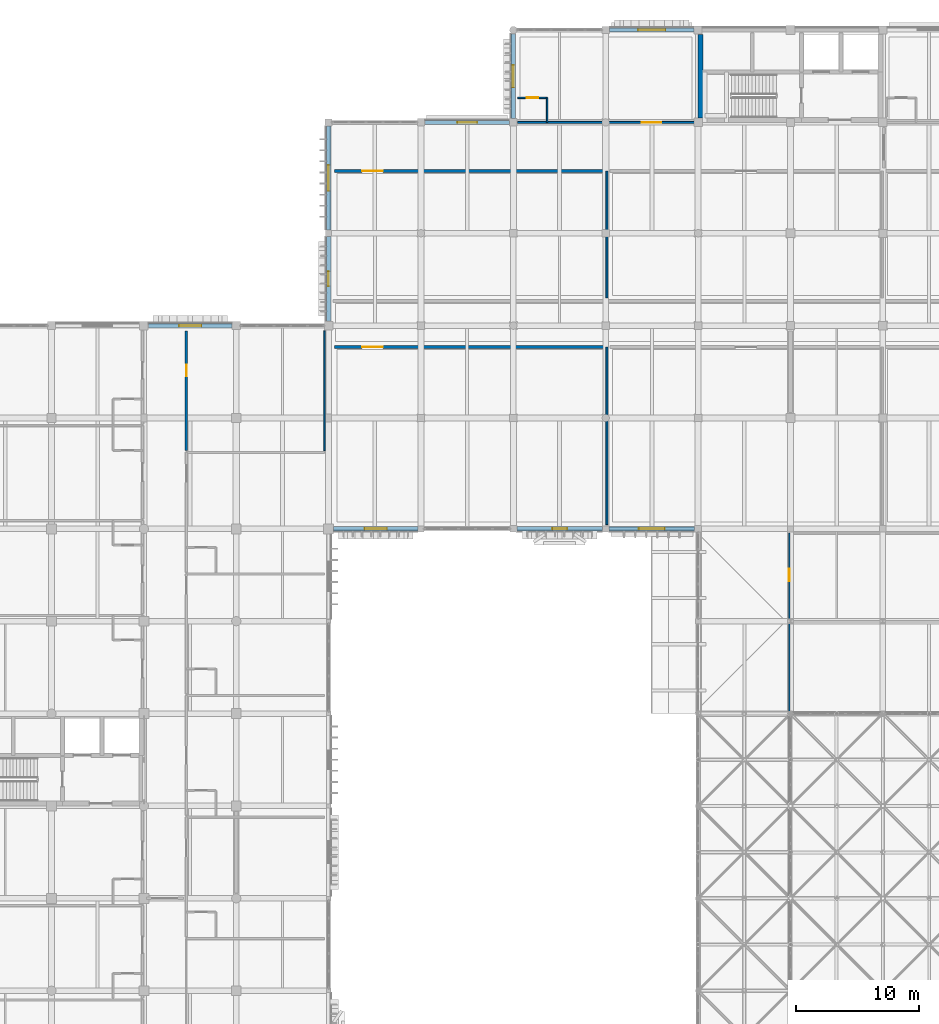
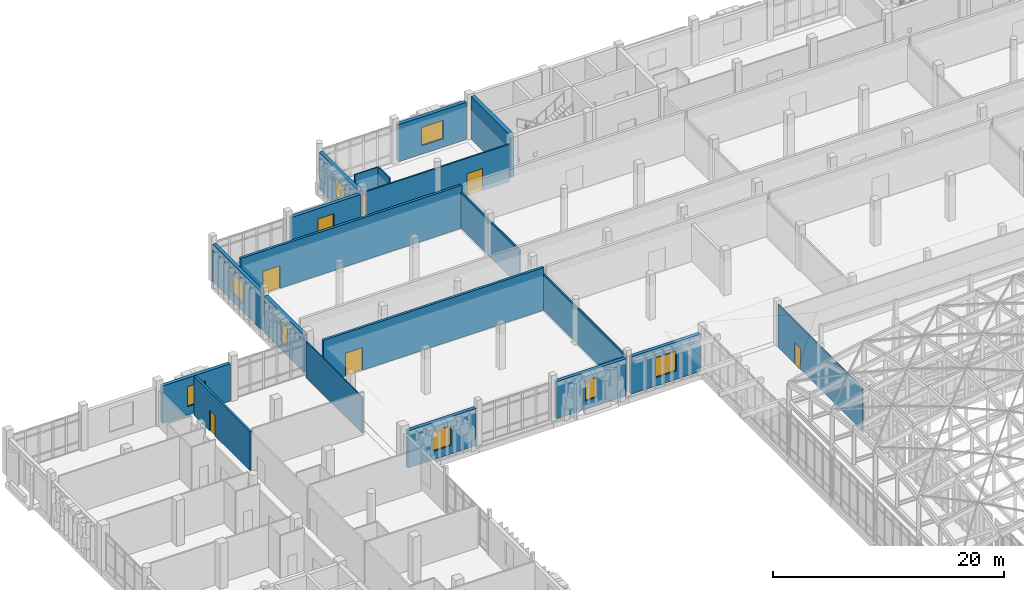
# One storey, part 104 of 131: 20 walls, 9 windows, 6 doors, 15 openings.
"""IFC4 building model written with IfcOpenShell, lengths in metres."""

import ifcopenshell
import ifcopenshell.guid

model = None  # the IFC model being written
_history = None  # IfcOwnerHistory: only IFC2X3 demands one
_inside = {}  # id of a spatial element -> (the spatial element, [elements in it])
_under = {}  # id of a project, library or spatial element -> (it, [spatial elements below it])
_declared = {}  # id of a project -> (the project, [libraries it declares])
_typed = {}  # id of a type object -> (the type object, [elements of that type])
_made_of = {}  # id of a material, layer set ... -> (it, [elements and type objects made of it])


def new_model(schema):
    """Start an empty IFC model of exactly this schema.

    Asked for "IFC4X3", IfcOpenShell would pick the latest addendum, in which some entities
    have other attributes; the version numbers below select the first issue.
    IFC2X3 requires an IfcOwnerHistory on every rooted entity: one is made here for all.
    """
    global model, _history
    if schema == "IFC4X3":
        model = ifcopenshell.file(schema_version=(4, 3, 0, 0))
    else:
        model = ifcopenshell.file(schema=schema)
    _inside.clear()
    _under.clear()
    _declared.clear()
    _typed.clear()
    _made_of.clear()
    _history = None
    if model.schema == "IFC2X3":
        org = make("IfcOrganization", Name="unknown")
        user = make(
            "IfcPersonAndOrganization",
            ThePerson=make("IfcPerson", FamilyName="unknown"),
            TheOrganization=org,
        )
        app = make(
            "IfcApplication",
            ApplicationDeveloper=org,
            Version="unknown",
            ApplicationFullName="unknown",
            ApplicationIdentifier="unknown",
        )
        _history = make(
            "IfcOwnerHistory",
            OwningUser=user,
            OwningApplication=app,
            ChangeAction="ADDED",
            CreationDate=0,
        )
    return model


def make(cls, **values):
    """One entity of the class cls with the attributes given. An attribute that is None is left unset."""
    return model.create_entity(
        cls, **{name: value for name, value in values.items() if value is not None}
    )


def rooted(cls, **values):
    """An entity with a GlobalId (a new one), such as an element, a storey or a relation."""
    return make(cls, GlobalId=ifcopenshell.guid.new(), OwnerHistory=_history, **values)


def si_unit(unit_type, name, prefix=None):
    """IfcSIUnit, for example si_unit("LENGTHUNIT", "METRE", prefix="MILLI")."""
    return make("IfcSIUnit", UnitType=unit_type, Prefix=prefix, Name=name)


def assignment(units):
    """IfcUnitAssignment: the units of a project."""
    return None if units is None else make("IfcUnitAssignment", Units=units)


def point(xyz):
    """IfcCartesianPoint."""
    return None if xyz is None else make("IfcCartesianPoint", Coordinates=xyz)


def direction(xyz):
    """IfcDirection."""
    return None if xyz is None else make("IfcDirection", DirectionRatios=xyz)


def frame(location, z_axis=None, x_axis=None):
    """IfcAxis2Placement3D, a coordinate frame: its origin and axes. An axis left out is left unset."""
    return make(
        "IfcAxis2Placement3D",
        Location=point(location),
        Axis=direction(z_axis),
        RefDirection=direction(x_axis),
    )


def frame_2d(location, x_axis=None):
    """IfcAxis2Placement2D, a coordinate frame in the plane: its origin and x axis."""
    return make(
        "IfcAxis2Placement2D", Location=point(location), RefDirection=direction(x_axis)
    )


def origin():
    """The frame at (0, 0, 0) with its axes left unset."""
    return frame((0.0, 0.0, 0.0))


def place(relative_to, where):
    """IfcLocalPlacement: puts the frame where relative to a parent placement (None: the world)."""
    return make(
        "IfcLocalPlacement", PlacementRelTo=relative_to, RelativePlacement=where
    )


def context(
    kind, dimensions, precision=None, world=None, true_north=None, identifier=None
):
    """IfcGeometricRepresentationContext, for example the 3D "Model" context."""
    return make(
        "IfcGeometricRepresentationContext",
        ContextIdentifier=identifier,
        ContextType=kind,
        CoordinateSpaceDimension=dimensions,
        Precision=precision,
        WorldCoordinateSystem=world,
        TrueNorth=true_north,
    )


def subcontext(parent, identifier, kind, view, scale=None):
    """IfcGeometricRepresentationSubContext, for example "Body" below "Model"."""
    return make(
        "IfcGeometricRepresentationSubContext",
        ContextIdentifier=identifier,
        ContextType=kind,
        ParentContext=parent,
        TargetScale=scale,
        TargetView=view,
    )


def project(units=None, contexts=None):
    """IfcProject with its units and contexts."""
    return rooted(
        "IfcProject",
        Name="project",
        RepresentationContexts=contexts,
        UnitsInContext=assignment(units),
    )


def spatial(cls, under=None, at=None, **own):
    """A site, building, storey or space (cls), placed at a placement, below another one or the project."""
    s = rooted(cls, ObjectPlacement=at, **own)
    if under is not None:
        _under.setdefault(under.id(), (under, []))[1].append(s)
    return s


def profile(cls, at=None, kind="AREA", **sizes):
    """A parametric profile (cls). Its sizes go by their IFC names, for example OverallWidth=200.0."""
    return make(cls, ProfileType=kind, Position=at, **sizes)


def rectangle(**sizes):
    """IfcRectangleProfileDef."""
    return profile("IfcRectangleProfileDef", **sizes)


def extrude(swept, where, along, depth):
    """IfcExtrudedAreaSolid: the profile swept, set in the frame where, extruded along a direction by depth."""
    return make(
        "IfcExtrudedAreaSolid",
        SweptArea=swept,
        Position=where,
        ExtrudedDirection=direction(along),
        Depth=depth,
    )


def shape(context_of_items, identifier, shape_type, items):
    """IfcShapeRepresentation: the items that make up one representation, for example the "Body"."""
    return make(
        "IfcShapeRepresentation",
        ContextOfItems=context_of_items,
        RepresentationIdentifier=identifier,
        RepresentationType=shape_type,
        Items=items,
    )


def material(Name=None, Category=None):
    """IfcMaterial."""
    return make("IfcMaterial", Name=Name, Category=Category)


def layer(
    of_material, thickness, ventilated=None, Name=None, Category=None, Priority=None
):
    """IfcMaterialLayer: one layer of a wall or slab, of a material (None: an air gap)."""
    return make(
        "IfcMaterialLayer",
        Material=of_material,
        LayerThickness=thickness,
        IsVentilated=ventilated,
        Name=Name,
        Category=Category,
        Priority=Priority,
    )


def layer_set(layers, Name=None):
    """IfcMaterialLayerSet."""
    return make("IfcMaterialLayerSet", MaterialLayers=layers, LayerSetName=Name)


def made_of(thing, what):
    """Note that an element or type object is made of a material, layer set ...; save() writes the relation."""
    if what is not None:
        _made_of.setdefault(what.id(), (what, []))[1].append(thing)
    return thing


def type_object(cls, material=None, **own):
    """A type object (cls), such as IfcWallType, which elements share."""
    return made_of(rooted(cls, **own), material)


def element(
    cls,
    number,
    at=None,
    inside=None,
    cuts=None,
    type_object=None,
    material=None,
    context=None,
    identifier="Body",
    shape_type=None,
    held_by="IfcProductDefinitionShape",
    body=None,
    shapes=None,
    **own,
):
    """One element of the class cls, such as IfcWall. Its Tag is "e" and its number.

    at: its placement. inside: the storey or other place that contains it. cuts: it is an
    opening in that element (IfcRelVoidsElement). A single representation is given by context,
    identifier, shape_type and body (its items); several are given by shapes. held_by: the class
    of the entity that holds the representations. save() writes the other relations.
    """
    e = rooted(cls, Tag="e%d" % number, ObjectPlacement=at, **own)
    if body is not None:
        shapes = [shape(context, identifier, shape_type, body)]
    if shapes is not None:
        e.Representation = make(held_by, Representations=shapes)
    if inside is not None:
        _inside.setdefault(inside.id(), (inside, []))[1].append(e)
    if cuts is not None:
        rooted(
            "IfcRelVoidsElement", RelatingBuildingElement=cuts, RelatedOpeningElement=e
        )
    if type_object is not None:
        _typed.setdefault(type_object.id(), (type_object, []))[1].append(e)
    return made_of(e, material)


def fill(opening, filler):
    """IfcRelFillsElement: the door or window that sits in an opening."""
    return rooted(
        "IfcRelFillsElement",
        RelatingOpeningElement=opening,
        RelatedBuildingElement=filler,
    )


def aggregate(whole, parts):
    """IfcRelAggregates: a whole, such as a stair, and the parts it consists of."""
    return rooted("IfcRelAggregates", RelatingObject=whole, RelatedObjects=parts)


def save(model, path):
    """Write the relations noted so far, then the file.

    IfcRelAggregates (storeys below a building ...), IfcRelContainedInSpatialStructure (elements
    in a storey), IfcRelDefinesByType, IfcRelAssociatesMaterial and IfcRelDeclares: one each for
    every whole, place, type object, material and project.
    """
    for whole, parts in _under.values():
        aggregate(whole, parts)
    for where, things in _inside.values():
        rooted(
            "IfcRelContainedInSpatialStructure",
            RelatedElements=things,
            RelatingStructure=where,
        )
    for kind, things in _typed.values():
        rooted("IfcRelDefinesByType", RelatedObjects=things, RelatingType=kind)
    for what, things in _made_of.values():
        rooted("IfcRelAssociatesMaterial", RelatedObjects=things, RelatingMaterial=what)
    for by, libraries in _declared.values():
        rooted("IfcRelDeclares", RelatingContext=by, RelatedDefinitions=libraries)
    model.write(path)


model = new_model("IFC4")

# Units and contexts
model_context = context("Model", 3, precision=1e-05, world=origin(), true_north=direction((0.0, 1.0)))
body_context = subcontext(model_context, "Body", "Model", "MODEL_VIEW")
ifc_project = project(units=[si_unit("LENGTHUNIT", "METRE"), si_unit("AREAUNIT", "SQUARE_METRE"), si_unit("VOLUMEUNIT", "CUBIC_METRE"), si_unit("PLANEANGLEUNIT", "RADIAN"), si_unit("MASSUNIT", "GRAM", prefix="KILO")], contexts=[model_context])

# Site, building, storey
site_placement = place(None, origin())
site = spatial("IfcSite", under=ifc_project, at=site_placement, CompositionType="ELEMENT")
building_placement = place(site_placement, origin())
building = spatial("IfcBuilding", under=site, at=building_placement, Name="Dalvernix Boulevard General Hospital", CompositionType="ELEMENT")
storey_placement = place(building_placement, frame((0.0, 0.0, 9.300048828125)))
storey = spatial("IfcBuildingStorey", under=building, at=storey_placement, Name="L02", CompositionType="ELEMENT", Elevation=9.300048828125)

# Wall
ifc_material_1 = material(Name="Concrete C40/50", Category="concrete")
ifc_layer_1 = layer(ifc_material_1, 0.39990234375)
ifc_layer_set_1 = layer_set([ifc_layer_1], Name="Concrete C40/50 (WAL-CSW-01)")
wall_type_1 = type_object("IfcWallType", Name="WAL-CSW-01", PredefinedType="SHEAR", material=ifc_layer_set_1)
wall_1_placement = place(storey_placement, frame((60.199951171875, 109.85009765625, 0.0), z_axis=(0.0, 0.0, 1.0), x_axis=(0.0, 1.0, 0.0)))
element("IfcWall", 1, at=wall_1_placement, inside=storey, type_object=wall_type_1, Name="L02 C3 west core wall", PredefinedType="SHEAR", context=body_context, shape_type="SweptSolid", body=[
    extrude(rectangle(XDim=6.7998046875, YDim=0.39990234375, at=frame_2d((3.39990234375, 0.0))), origin(), (0.0, 0.0, 1.0), 4.550048828125),
])

# Wall, opening, window
ifc_material_2 = material(Name="Pressed Catalan clay brick and insulated concrete cavity wall C35/45", Category="masonry")
ifc_layer_2 = layer(ifc_material_2, 0.35009765625)
ifc_layer_set_2 = layer_set([ifc_layer_2], Name="Pressed Catalan clay brick and insulated concrete cavity wall C35/45 (WAL-EW-01)")
wall_type_2 = type_object("IfcWallType", Name="WAL-EW-01", PredefinedType="STANDARD", material=ifc_layer_set_2)
wall_2_placement = place(storey_placement, frame((15.360107421875, 93.0, 0.0), z_axis=(0.0, 0.0, 1.0), x_axis=(1.0, 0.0, 0.0)))
wall_2 = element("IfcWall", 2, at=wall_2_placement, inside=storey, type_object=wall_type_2, Name="L02 Catalan brick external wall N 2-12", PredefinedType="STANDARD", context=body_context, shape_type="SweptSolid", body=[
    extrude(rectangle(XDim=6.804931640625, YDim=0.35009765625, at=frame_2d((3.40234375, 0.0))), origin(), (0.0, 0.0, 1.0), 3.949951171875),
])
opening_1_placement = place(wall_2_placement, frame((2.50244140625, 0.0, 0.89990234375)))
opening_1 = element("IfcOpeningElement", 3, at=opening_1_placement, cuts=wall_2, Name="Opening WN-05", PredefinedType="OPENING", context=body_context, shape_type="SweptSolid", body=[
    extrude(rectangle(XDim=1.800048828125, YDim=2.10009765625, at=frame_2d((0.89990234375, 1.050048828125))), frame((0.0, 0.18505859375, 0.0), z_axis=(0.0, -1.0, 0.0), x_axis=(1.0, 0.0, 0.0)), (0.0, 0.0, 1.0), 0.3701171875),
])
ifc_material_3 = material(Name="Thermally broken aluminium frame with solar-control double glazing", Category="aluminium")
window_type_1 = type_object("IfcWindowType", Name="WIN-WN-05", PartitioningType="SINGLE_PANEL", PredefinedType="WINDOW", material=ifc_material_3)
window_1_placement = place(opening_1_placement, origin())
window_1 = element("IfcWindow", 4, at=window_1_placement, inside=storey, type_object=window_type_1, Name="L02 clinical window WN-05 N 2-12", OverallHeight=2.10009765625, OverallWidth=1.800048828125, PartitioningType="SINGLE_PANEL", PredefinedType="WINDOW", context=body_context, shape_type="SweptSolid", body=[
    extrude(rectangle(XDim=1.800048828125, YDim=2.10009765625, at=frame_2d((0.89990234375, 1.050048828125))), frame((0.0, 0.030029296875, 0.0), z_axis=(0.0, -1.0, 0.0), x_axis=(1.0, 0.0, 0.0)), (0.0, 0.0, 1.0), 0.06005859375),
])
fill(opening_1, window_1)

wall_3_placement = place(storey_placement, frame((37.239990234375, 76.5, 0.0), z_axis=(0.0, 0.0, 1.0), x_axis=(-1.0, 0.0, 0.0)))
wall_3 = element("IfcWall", 5, at=wall_3_placement, inside=storey, type_object=wall_type_2, Name="L02 Catalan brick external wall S 4-10", PredefinedType="STANDARD", context=body_context, shape_type="SweptSolid", body=[
    extrude(rectangle(XDim=6.830078125, YDim=0.35009765625, at=frame_2d((3.4150390625, 0.0))), origin(), (0.0, 0.0, 1.0), 3.949951171875),
])
opening_2_placement = place(wall_3_placement, frame((2.514892578125, 0.0, 0.89990234375)))
opening_2 = element("IfcOpeningElement", 6, at=opening_2_placement, cuts=wall_3, Name="Opening WN-05", PredefinedType="OPENING", context=body_context, shape_type="SweptSolid", body=[
    extrude(rectangle(XDim=1.800048828125, YDim=2.10009765625, at=frame_2d((0.89990234375, 1.050048828125))), frame((0.0, 0.18505859375, 0.0), z_axis=(0.0, -1.0, 0.0), x_axis=(1.0, 0.0, 0.0)), (0.0, 0.0, 1.0), 0.3701171875),
])
window_2_placement = place(opening_2_placement, origin())
window_2 = element("IfcWindow", 7, at=window_2_placement, inside=storey, type_object=window_type_1, Name="L02 clinical window WN-05 S 4-10", OverallHeight=2.10009765625, OverallWidth=1.800048828125, PartitioningType="SINGLE_PANEL", PredefinedType="WINDOW", context=body_context, shape_type="SweptSolid", body=[
    extrude(rectangle(XDim=1.800048828125, YDim=2.10009765625, at=frame_2d((0.89990234375, 1.050048828125))), frame((0.0, 0.030029296875, 0.0), z_axis=(0.0, -1.0, 0.0), x_axis=(1.0, 0.0, 0.0)), (0.0, 0.0, 1.0), 0.06005859375),
])
fill(opening_2, window_2)

wall_4_placement = place(storey_placement, frame((30.0, 93.360107421875, 0.0), z_axis=(0.0, 0.0, 1.0), x_axis=(0.0, 1.0, 0.0)))
wall_4 = element("IfcWall", 8, at=wall_4_placement, inside=storey, type_object=wall_type_2, Name="L02 Catalan brick external wall W 4-12", PredefinedType="STANDARD", context=body_context, shape_type="SweptSolid", body=[
    extrude(rectangle(XDim=6.8798828125, YDim=0.35009765625, at=frame_2d((3.43994140625, 0.0))), origin(), (0.0, 0.0, 1.0), 3.949951171875),
])
opening_3_placement = place(wall_4_placement, frame((2.840087890625, 0.0, 0.89990234375)))
opening_3 = element("IfcOpeningElement", 9, at=opening_3_placement, cuts=wall_4, Name="Opening WN-07", PredefinedType="OPENING", context=body_context, shape_type="SweptSolid", body=[
    extrude(rectangle(XDim=1.199951171875, YDim=2.10009765625, at=frame_2d((0.60009765625, 1.050048828125))), frame((0.0, 0.18505859375, 0.0), z_axis=(0.0, -1.0, 0.0), x_axis=(1.0, 0.0, 0.0)), (0.0, 0.0, 1.0), 0.3701171875),
])
window_type_2 = type_object("IfcWindowType", Name="WIN-WN-07", PartitioningType="SINGLE_PANEL", PredefinedType="WINDOW", material=ifc_material_3)
window_3_placement = place(opening_3_placement, origin())
window_3 = element("IfcWindow", 10, at=window_3_placement, inside=storey, type_object=window_type_2, Name="L02 clinical window WN-07 W 4-12", OverallHeight=2.10009765625, OverallWidth=1.199951171875, PartitioningType="SINGLE_PANEL", PredefinedType="WINDOW", context=body_context, shape_type="SweptSolid", body=[
    extrude(rectangle(XDim=1.199951171875, YDim=2.10009765625, at=frame_2d((0.60009765625, 1.050048828125))), frame((0.0, 0.030029296875, 0.0), z_axis=(0.0, -1.0, 0.0), x_axis=(1.0, 0.0, 0.0)), (0.0, 0.0, 1.0), 0.06005859375),
])
fill(opening_3, window_3)

wall_5_placement = place(storey_placement, frame((30.0, 100.760009765625, 0.0), z_axis=(0.0, 0.0, 1.0), x_axis=(0.0, 1.0, 0.0)))
wall_5 = element("IfcWall", 11, at=wall_5_placement, inside=storey, type_object=wall_type_2, Name="L02 Catalan brick external wall W 4-13", PredefinedType="STANDARD", context=body_context, shape_type="SweptSolid", body=[
    extrude(rectangle(XDim=8.455078125, YDim=0.35009765625, at=frame_2d((4.2275390625, 0.0))), origin(), (0.0, 0.0, 1.0), 4.0),
])
opening_4_placement = place(wall_5_placement, frame((3.177490234375, 0.0, 0.89990234375)))
opening_4 = element("IfcOpeningElement", 12, at=opening_4_placement, cuts=wall_5, Name="Opening WN-08", PredefinedType="OPENING", context=body_context, shape_type="SweptSolid", body=[
    extrude(rectangle(XDim=2.10009765625, YDim=2.10009765625, at=frame_2d((1.050048828125, 1.050048828125))), frame((0.0, 0.18505859375, 0.0), z_axis=(0.0, -1.0, 0.0), x_axis=(1.0, 0.0, 0.0)), (0.0, 0.0, 1.0), 0.3701171875),
])
window_type_3 = type_object("IfcWindowType", Name="WIN-WN-08", PartitioningType="SINGLE_PANEL", PredefinedType="WINDOW", material=ifc_material_3)
window_4_placement = place(opening_4_placement, origin())
window_4 = element("IfcWindow", 13, at=window_4_placement, inside=storey, type_object=window_type_3, Name="L02 clinical window WN-08 W 4-13", OverallHeight=2.10009765625, OverallWidth=2.10009765625, PartitioningType="SINGLE_PANEL", PredefinedType="WINDOW", context=body_context, shape_type="SweptSolid", body=[
    extrude(rectangle(XDim=2.10009765625, YDim=2.10009765625, at=frame_2d((1.050048828125, 1.050048828125))), frame((0.0, 0.030029296875, 0.0), z_axis=(0.0, -1.0, 0.0), x_axis=(1.0, 0.0, 0.0)), (0.0, 0.0, 1.0), 0.06005859375),
])
fill(opening_4, window_4)

wall_6_placement = place(storey_placement, frame((37.81005859375, 109.5, 0.0), z_axis=(0.0, 0.0, 1.0), x_axis=(1.0, 0.0, 0.0)))
wall_6 = element("IfcWall", 14, at=wall_6_placement, inside=storey, type_object=wall_type_2, Name="L02 Catalan brick external wall N 5-14", PredefinedType="STANDARD", context=body_context, shape_type="SweptSolid", body=[
    extrude(rectangle(XDim=6.8798828125, YDim=0.35009765625, at=frame_2d((3.43994140625, 0.0))), origin(), (0.0, 0.0, 1.0), 3.949951171875),
])
opening_5_placement = place(wall_6_placement, frame((2.639892578125, 0.0, 0.89990234375)))
opening_5 = element("IfcOpeningElement", 15, at=opening_5_placement, cuts=wall_6, Name="Opening WN-10", PredefinedType="OPENING", context=body_context, shape_type="SweptSolid", body=[
    extrude(rectangle(XDim=1.60009765625, YDim=1.949951171875, at=frame_2d((0.800048828125, 0.97509765625))), frame((0.0, 0.18505859375, 0.0), z_axis=(0.0, -1.0, 0.0), x_axis=(1.0, 0.0, 0.0)), (0.0, 0.0, 1.0), 0.3701171875),
])
window_type_4 = type_object("IfcWindowType", Name="WIN-WN-10", PartitioningType="SINGLE_PANEL", PredefinedType="WINDOW", material=ifc_material_3)
window_5_placement = place(opening_5_placement, origin())
window_5 = element("IfcWindow", 16, at=window_5_placement, inside=storey, type_object=window_type_4, Name="L02 clinical window WN-10 N 5-14", OverallHeight=1.949951171875, OverallWidth=1.60009765625, PartitioningType="SINGLE_PANEL", PredefinedType="WINDOW", context=body_context, shape_type="SweptSolid", body=[
    extrude(rectangle(XDim=1.60009765625, YDim=1.949951171875, at=frame_2d((0.800048828125, 0.97509765625))), frame((0.0, 0.030029296875, 0.0), z_axis=(0.0, -1.0, 0.0), x_axis=(1.0, 0.0, 0.0)), (0.0, 0.0, 1.0), 0.06005859375),
])
fill(opening_5, window_5)

wall_7_placement = place(storey_placement, frame((52.239990234375, 76.5, 0.0), z_axis=(0.0, 0.0, 1.0), x_axis=(-1.0, 0.0, 0.0)))
wall_7 = element("IfcWall", 17, at=wall_7_placement, inside=storey, type_object=wall_type_2, Name="L02 Catalan brick external wall S 6-10", PredefinedType="STANDARD", context=body_context, shape_type="SweptSolid", body=[
    extrude(rectangle(XDim=6.955078125, YDim=0.35009765625, at=frame_2d((3.4775390625, 0.0))), origin(), (0.0, 0.0, 1.0), 3.949951171875),
])
opening_6_placement = place(wall_7_placement, frame((2.87744140625, 0.0, 0.89990234375)))
opening_6 = element("IfcOpeningElement", 18, at=opening_6_placement, cuts=wall_7, Name="Opening WN-07", PredefinedType="OPENING", context=body_context, shape_type="SweptSolid", body=[
    extrude(rectangle(XDim=1.199951171875, YDim=2.10009765625, at=frame_2d((0.60009765625, 1.050048828125))), frame((0.0, 0.18505859375, 0.0), z_axis=(0.0, -1.0, 0.0), x_axis=(1.0, 0.0, 0.0)), (0.0, 0.0, 1.0), 0.3701171875),
])
window_6_placement = place(opening_6_placement, origin())
window_6 = element("IfcWindow", 19, at=window_6_placement, inside=storey, type_object=window_type_2, Name="L02 clinical window WN-07 S 6-10", OverallHeight=2.10009765625, OverallWidth=1.199951171875, PartitioningType="SINGLE_PANEL", PredefinedType="WINDOW", context=body_context, shape_type="SweptSolid", body=[
    extrude(rectangle(XDim=1.199951171875, YDim=2.10009765625, at=frame_2d((0.60009765625, 1.050048828125))), frame((0.0, 0.030029296875, 0.0), z_axis=(0.0, -1.0, 0.0), x_axis=(1.0, 0.0, 0.0)), (0.0, 0.0, 1.0), 0.06005859375),
])
fill(opening_6, window_6)

wall_8_placement = place(storey_placement, frame((45.0, 109.81005859375, 0.0), z_axis=(0.0, 0.0, 1.0), x_axis=(0.0, 1.0, 0.0)))
wall_8 = element("IfcWall", 20, at=wall_8_placement, inside=storey, type_object=wall_type_2, Name="L02 Catalan brick external wall W 6-14", PredefinedType="STANDARD", context=body_context, shape_type="SweptSolid", body=[
    extrude(rectangle(XDim=6.8798828125, YDim=0.35009765625, at=frame_2d((3.43994140625, 0.0))), origin(), (0.0, 0.0, 1.0), 3.949951171875),
])
opening_7_placement = place(wall_8_placement, frame((2.5400390625, 0.0, 0.89990234375)))
opening_7 = element("IfcOpeningElement", 21, at=opening_7_placement, cuts=wall_8, Name="Opening WN-11", PredefinedType="OPENING", context=body_context, shape_type="SweptSolid", body=[
    extrude(rectangle(XDim=1.800048828125, YDim=1.949951171875, at=frame_2d((0.89990234375, 0.97509765625))), frame((0.0, 0.18505859375, 0.0), z_axis=(0.0, -1.0, 0.0), x_axis=(1.0, 0.0, 0.0)), (0.0, 0.0, 1.0), 0.3701171875),
])
window_type_5 = type_object("IfcWindowType", Name="WIN-WN-11", PartitioningType="SINGLE_PANEL", PredefinedType="WINDOW", material=ifc_material_3)
window_7_placement = place(opening_7_placement, origin())
window_7 = element("IfcWindow", 22, at=window_7_placement, inside=storey, type_object=window_type_5, Name="L02 clinical window WN-11 W 6-14", OverallHeight=1.949951171875, OverallWidth=1.800048828125, PartitioningType="SINGLE_PANEL", PredefinedType="WINDOW", context=body_context, shape_type="SweptSolid", body=[
    extrude(rectangle(XDim=1.800048828125, YDim=1.949951171875, at=frame_2d((0.89990234375, 0.97509765625))), frame((0.0, 0.030029296875, 0.0), z_axis=(0.0, -1.0, 0.0), x_axis=(1.0, 0.0, 0.0)), (0.0, 0.0, 1.0), 0.06005859375),
])
fill(opening_7, window_7)

wall_9_placement = place(storey_placement, frame((59.715087890625, 76.5, 0.0), z_axis=(0.0, 0.0, 1.0), x_axis=(-1.0, 0.0, 0.0)))
wall_9 = element("IfcWall", 23, at=wall_9_placement, inside=storey, type_object=wall_type_2, Name="L02 Catalan brick external wall S 7-10", PredefinedType="STANDARD", context=body_context, shape_type="SweptSolid", body=[
    extrude(rectangle(XDim=6.955078125, YDim=0.35009765625, at=frame_2d((3.4775390625, 0.0))), origin(), (0.0, 0.0, 1.0), 3.949951171875),
])
opening_8_placement = place(wall_9_placement, frame((2.427490234375, 0.0, 0.89990234375)))
opening_8 = element("IfcOpeningElement", 24, at=opening_8_placement, cuts=wall_9, Name="Opening WN-08", PredefinedType="OPENING", context=body_context, shape_type="SweptSolid", body=[
    extrude(rectangle(XDim=2.10009765625, YDim=2.10009765625, at=frame_2d((1.050048828125, 1.050048828125))), frame((0.0, 0.18505859375, 0.0), z_axis=(0.0, -1.0, 0.0), x_axis=(1.0, 0.0, 0.0)), (0.0, 0.0, 1.0), 0.3701171875),
])
window_8_placement = place(opening_8_placement, origin())
window_8 = element("IfcWindow", 25, at=window_8_placement, inside=storey, type_object=window_type_3, Name="L02 clinical window WN-08 S 7-10", OverallHeight=2.10009765625, OverallWidth=2.10009765625, PartitioningType="SINGLE_PANEL", PredefinedType="WINDOW", context=body_context, shape_type="SweptSolid", body=[
    extrude(rectangle(XDim=2.10009765625, YDim=2.10009765625, at=frame_2d((1.050048828125, 1.050048828125))), frame((0.0, 0.030029296875, 0.0), z_axis=(0.0, -1.0, 0.0), x_axis=(1.0, 0.0, 0.0)), (0.0, 0.0, 1.0), 0.06005859375),
])
fill(opening_8, window_8)

wall_10_placement = place(storey_placement, frame((52.81005859375, 117.0, 0.0), z_axis=(0.0, 0.0, 1.0), x_axis=(1.0, 0.0, 0.0)))
wall_10 = element("IfcWall", 26, at=wall_10_placement, inside=storey, type_object=wall_type_2, Name="L02 Catalan brick external wall N 7-15", PredefinedType="STANDARD", context=body_context, shape_type="SweptSolid", body=[
    extrude(rectangle(XDim=6.85498046875, YDim=0.35009765625, at=frame_2d((3.427490234375, 0.0))), origin(), (0.0, 0.0, 1.0), 3.949951171875),
])
opening_9_placement = place(wall_10_placement, frame((2.327392578125, 0.0, 0.89990234375)))
opening_9 = element("IfcOpeningElement", 27, at=opening_9_placement, cuts=wall_10, Name="Opening WN-13", PredefinedType="OPENING", context=body_context, shape_type="SweptSolid", body=[
    extrude(rectangle(XDim=2.199951171875, YDim=1.949951171875, at=frame_2d((1.10009765625, 0.97509765625))), frame((0.0, 0.18505859375, 0.0), z_axis=(0.0, -1.0, 0.0), x_axis=(1.0, 0.0, 0.0)), (0.0, 0.0, 1.0), 0.3701171875),
])
window_type_6 = type_object("IfcWindowType", Name="WIN-WN-13", PartitioningType="SINGLE_PANEL", PredefinedType="WINDOW", material=ifc_material_3)
window_9_placement = place(opening_9_placement, origin())
window_9 = element("IfcWindow", 28, at=window_9_placement, inside=storey, type_object=window_type_6, Name="L02 clinical window WN-13 N 7-15", OverallHeight=1.949951171875, OverallWidth=2.199951171875, PartitioningType="SINGLE_PANEL", PredefinedType="WINDOW", context=body_context, shape_type="SweptSolid", body=[
    extrude(rectangle(XDim=2.199951171875, YDim=1.949951171875, at=frame_2d((1.10009765625, 0.97509765625))), frame((0.0, 0.030029296875, 0.0), z_axis=(0.0, -1.0, 0.0), x_axis=(1.0, 0.0, 0.0)), (0.0, 0.0, 1.0), 0.06005859375),
])
fill(opening_9, window_9)

# Wall, opening, door
ifc_material_4 = material(Name="Acoustic fire-rated masonry clinical wall", Category="masonry")
ifc_layer_3 = layer(ifc_material_4, 0.25)
ifc_layer_set_3 = layer_set([ifc_layer_3], Name="Acoustic fire-rated masonry clinical wall (WAL-IW-01)")
wall_type_3 = type_object("IfcWallType", Name="WAL-IW-01", PredefinedType="STANDARD", material=ifc_layer_set_3)
wall_11_placement = place(storey_placement, frame((52.590087890625, 105.550048828125, 0.0), z_axis=(0.0, 0.0, 1.0), x_axis=(-1.0, 0.0, 0.0)))
wall_11 = element("IfcWall", 29, at=wall_11_placement, inside=storey, type_object=wall_type_3, Name="L02 Operating Theatre 01 corridor wall", PredefinedType="STANDARD", context=body_context, shape_type="SweptSolid", body=[
    extrude(rectangle(XDim=22.1201171875, YDim=0.25, at=frame_2d((11.06005859375, 0.0))), origin(), (0.0, 0.0, 1.0), 4.534912109375),
])
opening_10_placement = place(wall_11_placement, frame((18.177978515625, 0.0, 0.0)))
opening_10 = element("IfcOpeningElement", 30, at=opening_10_placement, cuts=wall_11, Name="Opening ID-09", PredefinedType="OPENING", context=body_context, shape_type="SweptSolid", body=[
    extrude(rectangle(XDim=1.699951171875, YDim=2.39990234375, at=frame_2d((0.85009765625, 1.199951171875))), frame((0.0, 0.135009765625, 0.0), z_axis=(0.0, -1.0, 0.0), x_axis=(1.0, 0.0, 0.0)), (0.0, 0.0, 1.0), 0.27001953125),
])
ifc_material_5 = material(Name="Stainless-clad steel", Category="steel")
door_type_1 = type_object("IfcDoorType", Name="DR-ID-09", OperationType="DOUBLE_DOOR_SLIDING", PredefinedType="DOOR", material=ifc_material_5)
door_1_placement = place(opening_10_placement, origin())
door_1 = element("IfcDoor", 31, at=door_1_placement, inside=storey, type_object=door_type_1, Name="L02 Operating Theatre 01 door", OperationType="DOUBLE_DOOR_SLIDING", OverallHeight=2.39990234375, OverallWidth=1.699951171875, PredefinedType="DOOR", context=body_context, shape_type="SweptSolid", body=[
    extrude(rectangle(XDim=1.699951171875, YDim=2.39990234375, at=frame_2d((0.85009765625, 1.199951171875))), frame((0.0, 0.02490234375, 0.0), z_axis=(0.0, -1.0, 0.0), x_axis=(1.0, 0.0, 0.0)), (0.0, 0.0, 1.0), 0.050048828125),
])
fill(opening_10, door_1)

wall_12_placement = place(storey_placement, frame((52.590087890625, 91.25, 0.0), z_axis=(0.0, 0.0, 1.0), x_axis=(-1.0, 0.0, 0.0)))
wall_12 = element("IfcWall", 32, at=wall_12_placement, inside=storey, type_object=wall_type_3, Name="L02 Operating Theatre 06 corridor wall", PredefinedType="STANDARD", context=body_context, shape_type="SweptSolid", body=[
    extrude(rectangle(XDim=22.1201171875, YDim=0.25, at=frame_2d((11.06005859375, 0.0))), origin(), (0.0, 0.0, 1.0), 4.534912109375),
])
opening_11_placement = place(wall_12_placement, frame((18.177978515625, 0.0, 0.0)))
opening_11 = element("IfcOpeningElement", 33, at=opening_11_placement, cuts=wall_12, Name="Opening ID-09", PredefinedType="OPENING", context=body_context, shape_type="SweptSolid", body=[
    extrude(rectangle(XDim=1.699951171875, YDim=2.39990234375, at=frame_2d((0.85009765625, 1.199951171875))), frame((0.0, 0.135009765625, 0.0), z_axis=(0.0, -1.0, 0.0), x_axis=(1.0, 0.0, 0.0)), (0.0, 0.0, 1.0), 0.27001953125),
])
door_2_placement = place(opening_11_placement, origin())
door_2 = element("IfcDoor", 34, at=door_2_placement, inside=storey, type_object=door_type_1, Name="L02 Operating Theatre 06 door", OperationType="DOUBLE_DOOR_SLIDING", OverallHeight=2.39990234375, OverallWidth=1.699951171875, PredefinedType="DOOR", context=body_context, shape_type="SweptSolid", body=[
    extrude(rectangle(XDim=1.699951171875, YDim=2.39990234375, at=frame_2d((0.85009765625, 1.199951171875))), frame((0.0, 0.02490234375, 0.0), z_axis=(0.0, -1.0, 0.0), x_axis=(1.0, 0.0, 0.0)), (0.0, 0.0, 1.0), 0.050048828125),
])
fill(opening_11, door_2)

ifc_material_6 = material(Name="Fire-compartment corridor masonry wall", Category="masonry")
ifc_layer_4 = layer(ifc_material_6, 0.199951171875)
ifc_layer_set_4 = layer_set([ifc_layer_4], Name="Fire-compartment corridor masonry wall (WAL-IW-02)")
wall_type_4 = type_object("IfcWallType", Name="WAL-IW-02", PredefinedType="STANDARD", material=ifc_layer_set_4)
wall_13_placement = place(storey_placement, frame((18.449951171875, 92.570068359375, 0.0), z_axis=(0.0, 0.0, 1.0), x_axis=(0.0, -1.0, 0.0)))
wall_13 = element("IfcWall", 35, at=wall_13_placement, inside=storey, type_object=wall_type_4, Name="L02 Staff WC and Clean Utility L02 corridor wall", PredefinedType="STANDARD", context=body_context, shape_type="SweptSolid", body=[
    extrude(rectangle(XDim=9.708984375, YDim=0.199951171875, at=frame_2d((4.8544921875, 0.0))), origin(), (0.0, 0.0, 1.0), 4.135009765625),
])
opening_12_placement = place(wall_13_placement, frame((2.7275390625, 0.0, 0.0)))
opening_12 = element("IfcOpeningElement", 36, at=opening_12_placement, cuts=wall_13, Name="Opening ID-06", PredefinedType="OPENING", context=body_context, shape_type="SweptSolid", body=[
    extrude(rectangle(XDim=0.949951171875, YDim=2.14990234375, at=frame_2d((0.47509765625, 1.074951171875))), frame((0.0, 0.10986328125, 0.0), z_axis=(0.0, -1.0, 0.0), x_axis=(1.0, 0.0, 0.0)), (0.0, 0.0, 1.0), 0.219970703125),
])
ifc_material_7 = material(Name="Hospital laminate acoustic timber and steel frame", Category="steel")
door_type_2 = type_object("IfcDoorType", Name="DR-ID-06", OperationType="NOTDEFINED", PredefinedType="DOOR", material=ifc_material_7)
door_3_placement = place(opening_12_placement, origin())
door_3 = element("IfcDoor", 37, at=door_3_placement, inside=storey, type_object=door_type_2, Name="L02 Staff WC and Clean Utility L02 door", OperationType="SINGLE_SWING_RIGHT", OverallHeight=2.14990234375, OverallWidth=0.949951171875, PredefinedType="DOOR", context=body_context, shape_type="SweptSolid", body=[
    extrude(rectangle(XDim=0.949951171875, YDim=2.14990234375, at=frame_2d((0.47509765625, 1.074951171875))), frame((0.0, 0.02490234375, 0.0), z_axis=(0.0, -1.0, 0.0), x_axis=(1.0, 0.0, 0.0)), (0.0, 0.0, 1.0), 0.050048828125),
])
fill(opening_12, door_3)

ifc_material_8 = material(Name="Acoustic double-stud gypsum inpatient partition")
ifc_layer_5 = layer(ifc_material_8, 0.14990234375)
ifc_layer_set_5 = layer_set([ifc_layer_5], Name="Acoustic double-stud gypsum inpatient partition (WAL-IW-04)")
wall_type_5 = type_object("IfcWallType", Name="WAL-IW-04", PredefinedType="PARTITIONING", material=ifc_layer_set_5)
wall_14_placement = place(storey_placement, frame((45.35009765625, 109.5, 0.0), z_axis=(0.0, 0.0, 1.0), x_axis=(1.0, 0.0, 0.0)))
wall_14 = element("IfcWall", 38, at=wall_14_placement, inside=storey, type_object=wall_type_5, Name="L02 Surgical Intensive Care Unit (ICU) West corridor wall", PredefinedType="PARTITIONING", context=body_context, shape_type="SweptSolid", body=[
    extrude(rectangle(XDim=14.349853515625, YDim=0.14990234375, at=frame_2d((7.1748046875, 0.0))), origin(), (0.0, 0.0, 1.0), 3.98486328125),
])
opening_13_placement = place(wall_14_placement, frame((10.090087890625, 0.0, 0.0)))
opening_13 = element("IfcOpeningElement", 39, at=opening_13_placement, cuts=wall_14, Name="Opening ID-11", PredefinedType="OPENING", context=body_context, shape_type="SweptSolid", body=[
    extrude(rectangle(XDim=1.550048828125, YDim=2.35009765625, at=frame_2d((0.77490234375, 1.175048828125))), frame((0.0, 0.0849609375, 0.0), z_axis=(0.0, -1.0, 0.0), x_axis=(1.0, 0.0, 0.0)), (0.0, 0.0, 1.0), 0.169921875),
])
door_type_3 = type_object("IfcDoorType", Name="DR-ID-11", OperationType="DOUBLE_DOOR_SINGLE_SWING", PredefinedType="DOOR", material=ifc_material_7)
door_4_placement = place(opening_13_placement, origin())
door_4 = element("IfcDoor", 40, at=door_4_placement, inside=storey, type_object=door_type_3, Name="L02 Surgical Intensive Care Unit (ICU) West door", OperationType="DOUBLE_DOOR_SINGLE_SWING", OverallHeight=2.35009765625, OverallWidth=1.550048828125, PredefinedType="DOOR", context=body_context, shape_type="SweptSolid", body=[
    extrude(rectangle(XDim=1.550048828125, YDim=2.35009765625, at=frame_2d((0.77490234375, 1.175048828125))), frame((0.0, 0.02490234375, 0.0), z_axis=(0.0, -1.0, 0.0), x_axis=(1.0, 0.0, 0.0)), (0.0, 0.0, 1.0), 0.050048828125),
])
fill(opening_13, door_4)

# Walls
wall_15_placement = place(storey_placement, frame((52.590087890625, 95.25, 0.0), z_axis=(0.0, 0.0, 1.0), x_axis=(0.0, 1.0, 0.0)))
element("IfcWall", 41, at=wall_15_placement, inside=storey, type_object=wall_type_5, Name="L02 Operating Theatre 01 partition", PredefinedType="PARTITIONING", context=body_context, shape_type="SweptSolid", body=[
    extrude(rectangle(XDim=10.300048828125, YDim=0.14990234375, at=frame_2d((5.14990234375, 0.0))), origin(), (0.0, 0.0, 1.0), 3.8349609375),
])
wall_16_placement = place(storey_placement, frame((52.590087890625, 76.85009765625, 0.0), z_axis=(0.0, 0.0, 1.0), x_axis=(0.0, 1.0, 0.0)))
element("IfcWall", 42, at=wall_16_placement, inside=storey, type_object=wall_type_5, Name="L02 Operating Theatre 06 partition", PredefinedType="PARTITIONING", context=body_context, shape_type="SweptSolid", body=[
    extrude(rectangle(XDim=14.39990234375, YDim=0.14990234375, at=frame_2d((7.199951171875, 0.0))), origin(), (0.0, 0.0, 1.0), 3.8349609375),
])

# Wall, opening, door
ifc_material_9 = material(Name="Moisture-resistant en-suite bathroom partition")
ifc_layer_6 = layer(ifc_material_9, 0.1201171875)
ifc_layer_set_6 = layer_set([ifc_layer_6], Name="Moisture-resistant en-suite bathroom partition (WAL-IW-05)")
wall_type_6 = type_object("IfcWallType", Name="WAL-IW-05", PredefinedType="PARTITIONING", material=ifc_layer_set_6)
wall_17_placement = place(storey_placement, frame((47.75, 111.5, 0.0), z_axis=(0.0, 0.0, 1.0), x_axis=(-1.0, 0.0, 0.0)))
wall_17 = element("IfcWall", 43, at=wall_17_placement, inside=storey, type_object=wall_type_6, Name="L02 en-suite bathroom door wall", PredefinedType="PARTITIONING", context=body_context, shape_type="SweptSolid", body=[
    extrude(rectangle(XDim=2.39990234375, YDim=0.1201171875, at=frame_2d((1.199951171875, 0.0))), origin(), (0.0, 0.0, 1.0), 4.534912109375),
])
opening_14_placement = place(wall_17_placement, frame((0.75, 0.0, 0.0)))
opening_14 = element("IfcOpeningElement", 44, at=opening_14_placement, cuts=wall_17, Name="Opening ID-05", PredefinedType="OPENING", context=body_context, shape_type="SweptSolid", body=[
    extrude(rectangle(XDim=0.89990234375, YDim=2.10009765625, at=frame_2d((0.449951171875, 1.050048828125))), frame((0.0, 0.070068359375, 0.0), z_axis=(0.0, -1.0, 0.0), x_axis=(1.0, 0.0, 0.0)), (0.0, 0.0, 1.0), 0.14013671875),
])
door_type_4 = type_object("IfcDoorType", Name="DR-ID-05", OperationType="NOTDEFINED", PredefinedType="DOOR", material=ifc_material_7)
door_5_placement = place(opening_14_placement, origin())
door_5 = element("IfcDoor", 45, at=door_5_placement, inside=storey, type_object=door_type_4, Name="L02 L02-ICU-01 en-suite bathroom door", OperationType="SINGLE_SWING_RIGHT", OverallHeight=2.10009765625, OverallWidth=0.89990234375, PredefinedType="DOOR", context=body_context, shape_type="SweptSolid", body=[
    extrude(rectangle(XDim=0.89990234375, YDim=2.10009765625, at=frame_2d((0.449951171875, 1.050048828125))), frame((0.0, 0.02490234375, 0.0), z_axis=(0.0, -1.0, 0.0), x_axis=(1.0, 0.0, 0.0)), (0.0, 0.0, 1.0), 0.050048828125),
])
fill(opening_14, door_5)

# Walls
wall_18_placement = place(storey_placement, frame((47.75, 109.5, 0.0), z_axis=(0.0, 0.0, 1.0), x_axis=(0.0, 1.0, 0.0)))
element("IfcWall", 46, at=wall_18_placement, inside=storey, type_object=wall_type_6, Name="L02 en-suite bathroom side wall", PredefinedType="PARTITIONING", context=body_context, shape_type="SweptSolid", body=[
    extrude(rectangle(XDim=2.0, YDim=0.1201171875, at=frame_2d((1.0, 0.0))), origin(), (0.0, 0.0, 1.0), 4.534912109375),
])
wall_19_placement = place(storey_placement, frame((29.64990234375, 82.861083984375, 0.0), z_axis=(0.0, 0.0, 1.0), x_axis=(0.0, 1.0, 0.0)))
element("IfcWall", 47, at=wall_19_placement, inside=storey, type_object=wall_type_6, Name="L02 Staff WC and Clean Utility L02 enclosure wall E", PredefinedType="PARTITIONING", context=body_context, shape_type="SweptSolid", body=[
    extrude(rectangle(XDim=9.708984375, YDim=0.1201171875, at=frame_2d((4.8544921875, 0.0))), origin(), (0.0, 0.0, 1.0), 3.8349609375),
])

# Wall, opening, door
ifc_material_10 = material(Name="Fire-resisting clinical sub-partition")
ifc_layer_7 = layer(ifc_material_10, 0.10009765625)
ifc_layer_set_7 = layer_set([ifc_layer_7], Name="Fire-resisting clinical sub-partition (WAL-IW-06)")
wall_type_7 = type_object("IfcWallType", Name="WAL-IW-06", PredefinedType="PARTITIONING", material=ifc_layer_set_7)
wall_20_placement = place(storey_placement, frame((67.39990234375, 76.14990234375, 0.0), z_axis=(0.0, 0.0, 1.0), x_axis=(0.0, -1.0, 0.0)))
wall_20 = element("IfcWall", 48, at=wall_20_placement, inside=storey, type_object=wall_type_7, Name="L02 Surgical Staff Support and Conference Suite corridor wall", PredefinedType="PARTITIONING", context=body_context, shape_type="SweptSolid", body=[
    extrude(rectangle(XDim=14.64990234375, YDim=0.10009765625, at=frame_2d((7.324951171875, 0.0))), origin(), (0.0, 0.0, 1.0), 4.534912109375),
])
opening_15_placement = place(wall_20_placement, frame((2.8701171875, 0.0, 0.0)))
opening_15 = element("IfcOpeningElement", 49, at=opening_15_placement, cuts=wall_20, Name="Opening ID-07", PredefinedType="OPENING", context=body_context, shape_type="SweptSolid", body=[
    extrude(rectangle(XDim=1.050048828125, YDim=2.199951171875, at=frame_2d((0.52490234375, 1.10009765625))), frame((0.0, 0.06005859375, 0.0), z_axis=(0.0, -1.0, 0.0), x_axis=(1.0, 0.0, 0.0)), (0.0, 0.0, 1.0), 0.1201171875),
])
door_type_5 = type_object("IfcDoorType", Name="DR-ID-07", OperationType="NOTDEFINED", PredefinedType="DOOR", material=ifc_material_7)
door_6_placement = place(opening_15_placement, origin())
door_6 = element("IfcDoor", 50, at=door_6_placement, inside=storey, type_object=door_type_5, Name="L02 Surgical Staff Support and Conference Suite door", OperationType="SINGLE_SWING_LEFT", OverallHeight=2.199951171875, OverallWidth=1.050048828125, PredefinedType="DOOR", context=body_context, shape_type="SweptSolid", body=[
    extrude(rectangle(XDim=1.050048828125, YDim=2.199951171875, at=frame_2d((0.52490234375, 1.10009765625))), frame((0.0, 0.02490234375, 0.0), z_axis=(0.0, -1.0, 0.0), x_axis=(1.0, 0.0, 0.0)), (0.0, 0.0, 1.0), 0.050048828125),
])
fill(opening_15, door_6)

save(model, "model.ifc")
